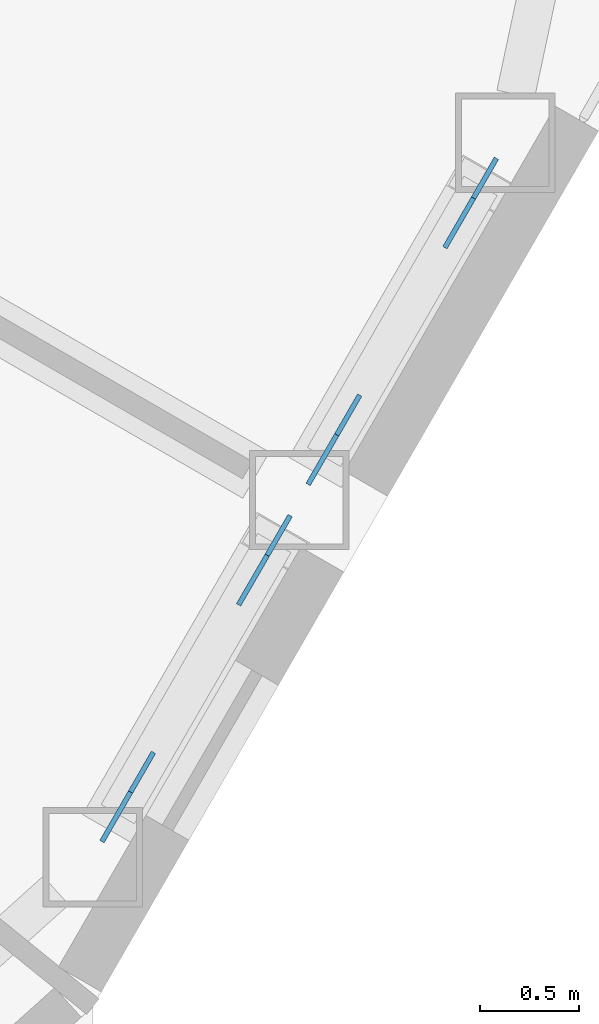
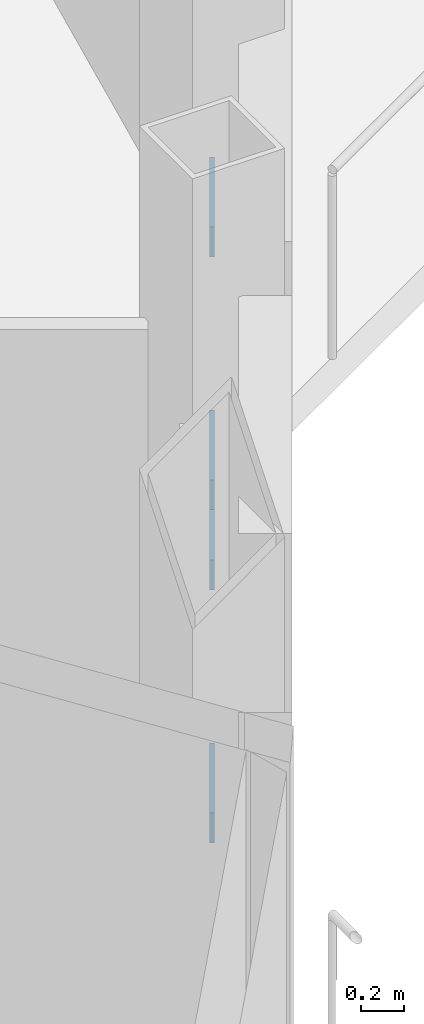
# One storey, part 19 of 26: 4 discrete accessories.
"""IFC4 building model written with IfcOpenShell, lengths in metres."""

from ifc_helpers import new_model, si_unit, direction, frame, origin, origin_2d, place, context, subcontext, project, spatial, rectangle, extrude, material, material_profile, profile_set, type_object, element, save


model = new_model("IFC4")

# Units and contexts
model_context = context("Model", 3, precision=1e-05, world=origin(), true_north=direction((0.0, 1.0)))
body_context = subcontext(model_context, "Body", "Model", "MODEL_VIEW")
ifc_project = project(units=[si_unit("LENGTHUNIT", "METRE"), si_unit("AREAUNIT", "SQUARE_METRE"), si_unit("VOLUMEUNIT", "CUBIC_METRE"), si_unit("PLANEANGLEUNIT", "RADIAN"), si_unit("MASSUNIT", "GRAM", prefix="KILO")], contexts=[model_context])

# Site, building, storey
site_placement = place(None, origin())
site = spatial("IfcSite", under=ifc_project, at=site_placement, CompositionType="ELEMENT")
building_placement = place(site_placement, origin())
building = spatial("IfcBuilding", under=site, at=building_placement, Name="Cormorant Prow Tower", CompositionType="ELEMENT")
storey_placement = place(building_placement, frame((0.0, 0.0, 364.39990234375)))
storey = spatial("IfcBuildingStorey", under=building, at=storey_placement, Name="L81", CompositionType="ELEMENT", Elevation=364.39990234375)

# Discrete accessories
ifc_material = material(Name="Structural steel ASTM A500 Gr C", Category="steel")
ifc_material_profile = material_profile(ifc_material, rectangle(XDim=0.02490234375, YDim=0.405029296875, at=origin_2d()), Name="Gusset plate 25x405")
ifc_profile_set = profile_set([ifc_material_profile], Name="Structural steel ASTM A500 Gr C")
discrete_accessory_type = type_object("IfcDiscreteAccessoryType", Name="Gusset plate 25x405", PredefinedType="BRACKET", material=ifc_profile_set)
discrete_accessory_1_placement = place(storey_placement, frame((26.246826171875, -16.978271484375, 0.94140625), z_axis=(-0.411432439557, -0.711987323368, -0.5690319842), x_axis=(0.865832418869, -0.500334110806, 0.0)))
element("IfcDiscreteAccessory", 1, at=discrete_accessory_1_placement, inside=storey, type_object=discrete_accessory_type, Name="Gusset plate GP3 L81.ESE00.g0", PredefinedType="BRACKET", context=body_context, shape_type="SweptSolid", body=[
    extrude(rectangle(XDim=0.02490234375, YDim=0.405029296875, at=origin_2d()), origin(), (0.0, 0.0, 1.0), 0.35009765625),
])
discrete_accessory_2_placement = place(storey_placement, frame((26.7900390625, -16.037109375, 1.69287109375), z_axis=(0.411595697368, 0.712269842394, 0.568560158228), x_axis=(-0.865832418869, 0.500334110806, 0.0)))
element("IfcDiscreteAccessory", 2, at=discrete_accessory_2_placement, inside=storey, type_object=discrete_accessory_type, Name="Gusset plate GP3 L81.ESE00.g1", PredefinedType="BRACKET", context=body_context, shape_type="SweptSolid", body=[
    extrude(rectangle(XDim=0.02490234375, YDim=0.405029296875, at=origin_2d()), origin(), (0.0, 0.0, 1.0), 0.349853515625),
])
discrete_accessory_3_placement = place(storey_placement, frame((27.28369140625, -15.182373046875, 0.94140625), z_axis=(-0.411432439557, -0.711987323368, -0.5690319842), x_axis=(0.865832418869, -0.500334110806, 0.0)))
element("IfcDiscreteAccessory", 3, at=discrete_accessory_3_placement, inside=storey, type_object=discrete_accessory_type, Name="Gusset plate GP3 L81.ESE01.g0", PredefinedType="BRACKET", context=body_context, shape_type="SweptSolid", body=[
    extrude(rectangle(XDim=0.02490234375, YDim=0.405029296875, at=origin_2d()), origin(), (0.0, 0.0, 1.0), 0.35009765625),
])
discrete_accessory_4_placement = place(storey_placement, frame((27.8271484375, -14.2412109375, 1.69287109375), z_axis=(0.411016012482, 0.712474276306, 0.568723344945), x_axis=(-0.866199709737, 0.499697971631, 0.0)))
element("IfcDiscreteAccessory", 4, at=discrete_accessory_4_placement, inside=storey, type_object=discrete_accessory_type, Name="Gusset plate GP3 L81.ESE01.g1", PredefinedType="BRACKET", context=body_context, shape_type="SweptSolid", body=[
    extrude(rectangle(XDim=0.02490234375, YDim=0.405029296875, at=origin_2d()), origin(), (0.0, 0.0, 1.0), 0.349853515625),
])

save(model, "model.ifc")
